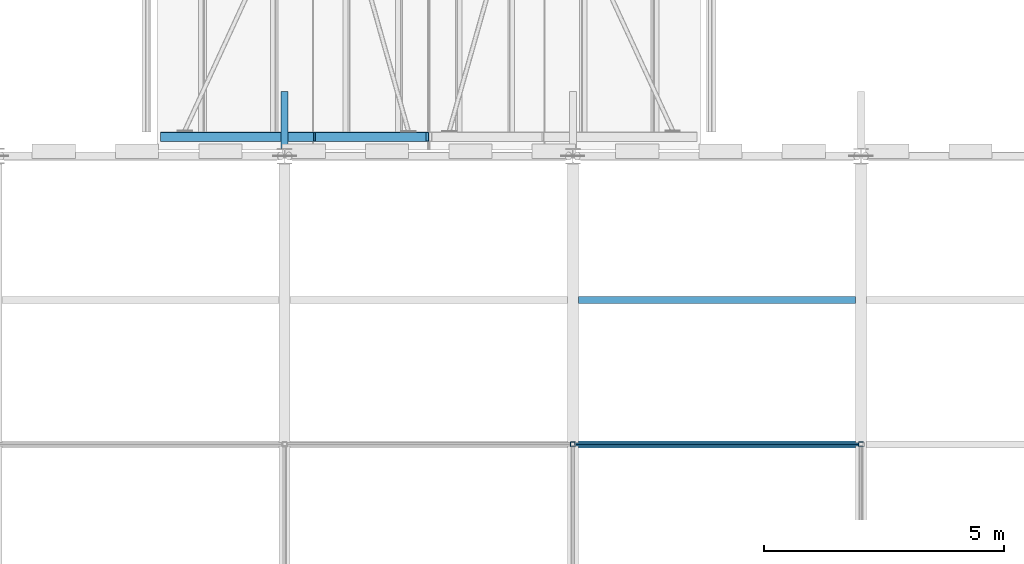
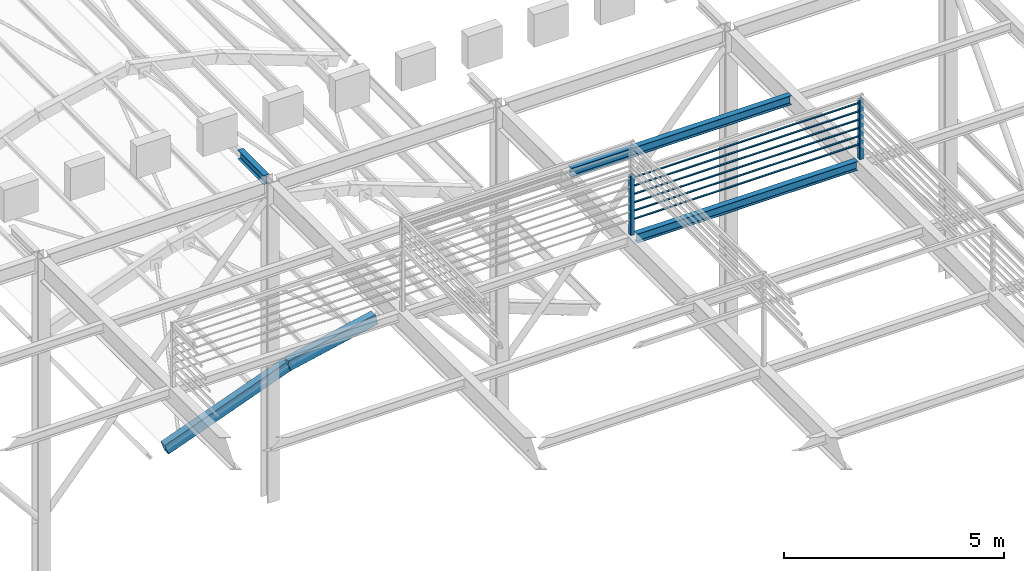
# One storey, part 18 of 57: 8 members, 5 beams.
"""IFC4 building model written with IfcOpenShell, lengths in metres."""

from ifc_helpers import new_model, si_unit, direction, frame, origin, origin_2d, place, context, subcontext, project, spatial, hollow_rectangle, i_section, extrude, material, material_profile, profile_set, type_object, element, save


model = new_model("IFC4")

# Units and contexts
model_context = context("Model", 3, precision=1e-05, world=origin(), true_north=direction((0.0, 1.0)))
body_context = subcontext(model_context, "Body", "Model", "MODEL_VIEW")
ifc_project = project(units=[si_unit("LENGTHUNIT", "METRE"), si_unit("AREAUNIT", "SQUARE_METRE"), si_unit("VOLUMEUNIT", "CUBIC_METRE"), si_unit("PLANEANGLEUNIT", "RADIAN"), si_unit("MASSUNIT", "GRAM", prefix="KILO")], contexts=[model_context])

# Site, building, storey
site_placement = place(None, origin())
site = spatial("IfcSite", under=ifc_project, at=site_placement, CompositionType="ELEMENT")
building_placement = place(site_placement, origin())
building = spatial("IfcBuilding", under=site, at=building_placement, Name="Saffron Lane Theatres", CompositionType="ELEMENT")
storey_placement = place(building_placement, frame((0.0, 0.0, 28.0)))
storey = spatial("IfcBuildingStorey", under=building, at=storey_placement, Name="Upper Roof", CompositionType="ELEMENT", Elevation=28.0)

# Members
ifc_material_1 = material(Name="Steel Grade 350", Category="steel")
ifc_material_profile_1 = material_profile(ifc_material_1, hollow_rectangle(XDim=0.10009765625, YDim=0.10009765625, WallThickness=0.006103515625, InnerFilletRadius=0.0029296875, OuterFilletRadius=0.009033203125, at=origin_2d()))
ifc_profile_set_1 = profile_set([ifc_material_profile_1], Name="Steel Grade 350")
member_type_1 = type_object("IfcMemberType", Name="ST-LANTERN POST 100x100x6 SHS", PredefinedType="POST", material=ifc_profile_set_1)
for number, where, z_axis, x_axis, name in (
    (1, (36.0, 48.25, 8.85009765625), (0.0, 0.0, 1.0), (1.0, 0.0, 0.0), "LP9"),
    (2, (42.0, 48.25, 8.85009765625), (0.0, 0.0, 1.0), (1.0, 0.0, 0.0), "LP12"),
):
    element("IfcMember", number, at=place(storey_placement, frame(where, z_axis=z_axis, x_axis=x_axis)), inside=storey, type_object=member_type_1, Name=name, PredefinedType="POST", context=body_context, shape_type="SweptSolid", body=[
        extrude(hollow_rectangle(XDim=0.10009765625, YDim=0.10009765625, WallThickness=0.006103515625, InnerFilletRadius=0.0029296875, OuterFilletRadius=0.009033203125, at=origin_2d()), origin(), (0.0, 0.0, 1.0), 1.64990234375),
    ])
ifc_material_2 = material(Name="Steel Grade 350", Category="steel")
ifc_material_profile_2 = material_profile(ifc_material_2, hollow_rectangle(XDim=0.034912109375, YDim=0.06494140625, WallThickness=0.0029296875, InnerFilletRadius=0.00146484375, OuterFilletRadius=0.00439453125, at=origin_2d()))
ifc_profile_set_2 = profile_set([ifc_material_profile_2], Name="Steel Grade 350")
member_type_2 = type_object("IfcMemberType", Name="ST-LOUVRE SLAT 65x35x3 RHS", PredefinedType="MEMBER", material=ifc_profile_set_2)
for number, where, z_axis, x_axis, name in (
    (3, (36.050048828125, 48.25, 9.25), (1.0, 0.0, 0.0), (0.0, 0.819152044289, 0.573576436351), "LV6"),
    (4, (36.050048828125, 48.25, 9.47998046875), (1.0, 0.0, 0.0), (0.0, 0.819152044289, 0.573576436351), "LV16"),
    (5, (36.050048828125, 48.25, 9.7099609375), (1.0, 0.0, 0.0), (0.0, 0.819152044289, 0.573576436351), "LV26"),
    (6, (36.050048828125, 48.25, 9.93994140625), (1.0, 0.0, 0.0), (0.0, 0.819152044289, 0.573576436351), "LV36"),
    (7, (36.050048828125, 48.25, 10.169921875), (1.0, 0.0, 0.0), (0.0, 0.819152044289, 0.573576436351), "LV46"),
    (8, (36.050048828125, 48.25, 10.39990234375), (1.0, 0.0, 0.0), (0.0, 0.819152044289, 0.573576436351), "LV56"),
):
    element("IfcMember", number, at=place(storey_placement, frame(where, z_axis=z_axis, x_axis=x_axis)), inside=storey, type_object=member_type_2, Name=name, PredefinedType="MEMBER", context=body_context, shape_type="SweptSolid", body=[
        extrude(hollow_rectangle(XDim=0.034912109375, YDim=0.06494140625, WallThickness=0.0029296875, InnerFilletRadius=0.00146484375, OuterFilletRadius=0.00439453125, at=origin_2d()), origin(), (0.0, 0.0, 1.0), 5.89990234375),
    ])

# Beams
ifc_material_3 = material(Name="Steel Grade 350", Category="steel")
ifc_material_profile_3 = material_profile(ifc_material_3, i_section(OverallWidth=0.14599609375, OverallDepth=0.251953125, WebThickness=0.006103515625, FlangeThickness=0.008544921875, FilletRadius=0.011962890625, at=origin_2d()))
ifc_profile_set_3 = profile_set([ifc_material_profile_3], Name="Steel Grade 350")
beam_type_1 = type_object("IfcBeamType", Name="ST-ROOF JOIST 250UB31.4", PredefinedType="JOIST", material=ifc_profile_set_3)
for number, where, z_axis, x_axis, name in (
    (9, (36.114013671875, 48.25, 8.72412109375), (1.0, 0.0, 0.0), (0.0, 1.0, 0.0), "TT29"),
    (10, (36.114013671875, 51.25, 8.72412109375), (1.0, 0.0, 0.0), (0.0, 1.0, 0.0), "TT34"),
):
    element("IfcBeam", number, at=place(storey_placement, frame(where, z_axis=z_axis, x_axis=x_axis)), inside=storey, type_object=beam_type_1, Name=name, PredefinedType="JOIST", context=body_context, shape_type="SweptSolid", body=[
        extrude(i_section(OverallWidth=0.14599609375, OverallDepth=0.251953125, WebThickness=0.006103515625, FlangeThickness=0.008544921875, FilletRadius=0.011962890625, at=origin_2d()), origin(), (0.0, 0.0, 1.0), 5.77197265625),
    ])
beam_1_placement = place(storey_placement, frame((30.0, 54.41357421875, 8.72412109375), z_axis=(0.0, 1.0, 0.0), x_axis=(-1.0, 0.0, 0.0)))
element("IfcBeam", 11, at=beam_1_placement, inside=storey, type_object=beam_type_1, Name="TE4", PredefinedType="JOIST", context=body_context, shape_type="SweptSolid", body=[
    extrude(i_section(OverallWidth=0.14599609375, OverallDepth=0.251953125, WebThickness=0.006103515625, FlangeThickness=0.008544921875, FilletRadius=0.011962890625, at=origin_2d()), origin(), (0.0, 0.0, 1.0), 1.1865234375),
])
ifc_material_4 = material(Name="Steel Grade 350", Category="steel")
ifc_material_profile_4 = material_profile(ifc_material_4, hollow_rectangle(XDim=0.199951171875, YDim=0.300048828125, WallThickness=0.010009765625, InnerFilletRadius=0.0048828125, OuterFilletRadius=0.014892578125, at=origin_2d()))
ifc_profile_set_4 = profile_set([ifc_material_profile_4], Name="Steel Grade 350")
beam_type_2 = type_object("IfcBeamType", Name="ST-VAULT RIB 300x200x10 RHS", PredefinedType="USERDEFINED", material=ifc_profile_set_4)
beam_2_placement = place(storey_placement, frame((27.4677734375, 54.64990234375, 2.036376953125), z_axis=(0.936888211564, 0.0, 0.349629059194), x_axis=(0.0, 1.0, 0.0)))
element("IfcBeam", 12, at=beam_2_placement, inside=storey, type_object=beam_type_2, Name="VR1C", ObjectType="VAULT RIB", PredefinedType="USERDEFINED", context=body_context, shape_type="SweptSolid", body=[
    extrude(hollow_rectangle(XDim=0.199951171875, YDim=0.300048828125, WallThickness=0.010009765625, InnerFilletRadius=0.0048828125, OuterFilletRadius=0.014892578125, at=origin_2d()), origin(), (0.0, 0.0, 1.0), 3.40283203125),
])
beam_3_placement = place(storey_placement, frame((30.6767578125, 54.64990234375, 3.232421875), z_axis=(0.977813083547, 0.0, 0.209479291681), x_axis=(0.0, 1.0, 0.0)))
element("IfcBeam", 13, at=beam_3_placement, inside=storey, type_object=beam_type_2, Name="VR1D", ObjectType="VAULT RIB", PredefinedType="USERDEFINED", context=body_context, shape_type="SweptSolid", body=[
    extrude(hollow_rectangle(XDim=0.199951171875, YDim=0.300048828125, WallThickness=0.010009765625, InnerFilletRadius=0.0048828125, OuterFilletRadius=0.014892578125, at=origin_2d()), origin(), (0.0, 0.0, 1.0), 2.34375),
])

save(model, "model.ifc")
